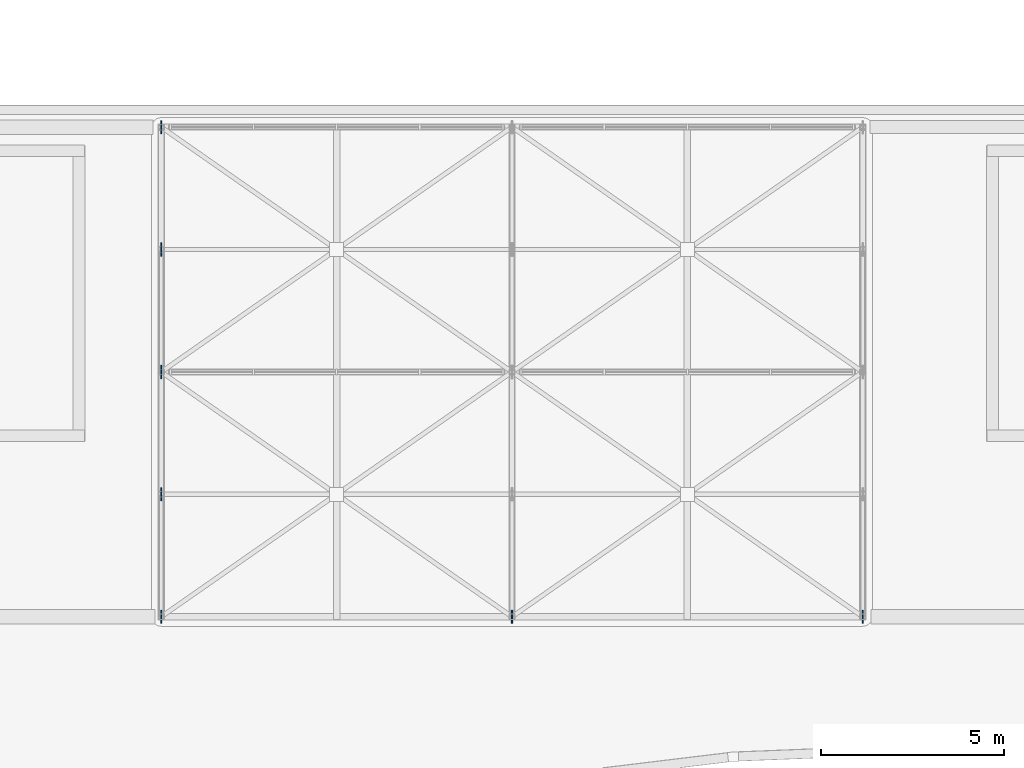
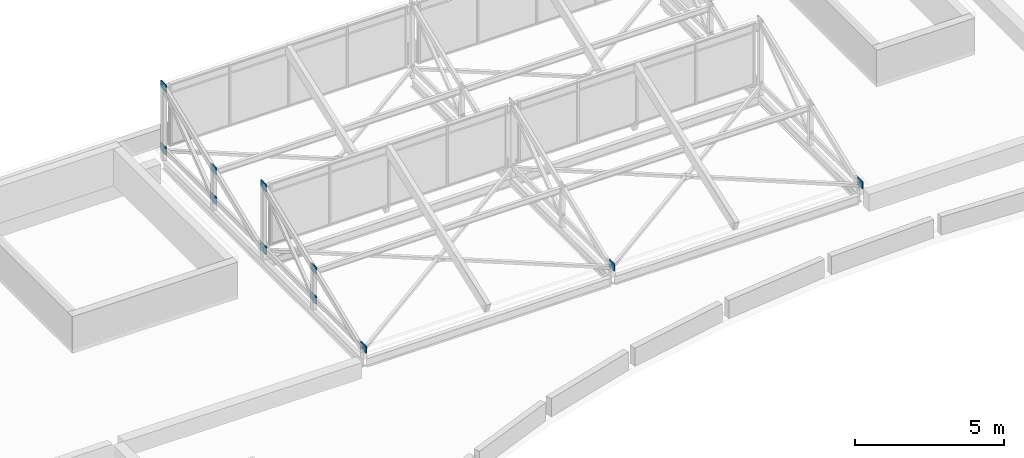
# One storey, part 33 of 40: 11 plates.
"""IFC4 building model written with IfcOpenShell, lengths in metres."""

import ifcopenshell
import ifcopenshell.guid

model = None  # the IFC model being written
_history = None  # IfcOwnerHistory: only IFC2X3 demands one
_inside = {}  # id of a spatial element -> (the spatial element, [elements in it])
_under = {}  # id of a project, library or spatial element -> (it, [spatial elements below it])
_declared = {}  # id of a project -> (the project, [libraries it declares])
_typed = {}  # id of a type object -> (the type object, [elements of that type])
_made_of = {}  # id of a material, layer set ... -> (it, [elements and type objects made of it])


def new_model(schema):
    """Start an empty IFC model of exactly this schema.

    Asked for "IFC4X3", IfcOpenShell would pick the latest addendum, in which some entities
    have other attributes; the version numbers below select the first issue.
    IFC2X3 requires an IfcOwnerHistory on every rooted entity: one is made here for all.
    """
    global model, _history
    if schema == "IFC4X3":
        model = ifcopenshell.file(schema_version=(4, 3, 0, 0))
    else:
        model = ifcopenshell.file(schema=schema)
    _inside.clear()
    _under.clear()
    _declared.clear()
    _typed.clear()
    _made_of.clear()
    _history = None
    if model.schema == "IFC2X3":
        org = make("IfcOrganization", Name="unknown")
        user = make(
            "IfcPersonAndOrganization",
            ThePerson=make("IfcPerson", FamilyName="unknown"),
            TheOrganization=org,
        )
        app = make(
            "IfcApplication",
            ApplicationDeveloper=org,
            Version="unknown",
            ApplicationFullName="unknown",
            ApplicationIdentifier="unknown",
        )
        _history = make(
            "IfcOwnerHistory",
            OwningUser=user,
            OwningApplication=app,
            ChangeAction="ADDED",
            CreationDate=0,
        )
    return model


def make(cls, **values):
    """One entity of the class cls with the attributes given. An attribute that is None is left unset."""
    return model.create_entity(
        cls, **{name: value for name, value in values.items() if value is not None}
    )


def rooted(cls, **values):
    """An entity with a GlobalId (a new one), such as an element, a storey or a relation."""
    return make(cls, GlobalId=ifcopenshell.guid.new(), OwnerHistory=_history, **values)


def si_unit(unit_type, name, prefix=None):
    """IfcSIUnit, for example si_unit("LENGTHUNIT", "METRE", prefix="MILLI")."""
    return make("IfcSIUnit", UnitType=unit_type, Prefix=prefix, Name=name)


def assignment(units):
    """IfcUnitAssignment: the units of a project."""
    return None if units is None else make("IfcUnitAssignment", Units=units)


def point(xyz):
    """IfcCartesianPoint."""
    return None if xyz is None else make("IfcCartesianPoint", Coordinates=xyz)


def direction(xyz):
    """IfcDirection."""
    return None if xyz is None else make("IfcDirection", DirectionRatios=xyz)


def frame(location, z_axis=None, x_axis=None):
    """IfcAxis2Placement3D, a coordinate frame: its origin and axes. An axis left out is left unset."""
    return make(
        "IfcAxis2Placement3D",
        Location=point(location),
        Axis=direction(z_axis),
        RefDirection=direction(x_axis),
    )


def frame_2d(location, x_axis=None):
    """IfcAxis2Placement2D, a coordinate frame in the plane: its origin and x axis."""
    return make(
        "IfcAxis2Placement2D", Location=point(location), RefDirection=direction(x_axis)
    )


def origin():
    """The frame at (0, 0, 0) with its axes left unset."""
    return frame((0.0, 0.0, 0.0))


def origin_2d():
    """The frame at (0, 0) in the plane with its x axis left unset."""
    return frame_2d((0.0, 0.0))


def place(relative_to, where):
    """IfcLocalPlacement: puts the frame where relative to a parent placement (None: the world)."""
    return make(
        "IfcLocalPlacement", PlacementRelTo=relative_to, RelativePlacement=where
    )


def context(
    kind, dimensions, precision=None, world=None, true_north=None, identifier=None
):
    """IfcGeometricRepresentationContext, for example the 3D "Model" context."""
    return make(
        "IfcGeometricRepresentationContext",
        ContextIdentifier=identifier,
        ContextType=kind,
        CoordinateSpaceDimension=dimensions,
        Precision=precision,
        WorldCoordinateSystem=world,
        TrueNorth=true_north,
    )


def subcontext(parent, identifier, kind, view, scale=None):
    """IfcGeometricRepresentationSubContext, for example "Body" below "Model"."""
    return make(
        "IfcGeometricRepresentationSubContext",
        ContextIdentifier=identifier,
        ContextType=kind,
        ParentContext=parent,
        TargetScale=scale,
        TargetView=view,
    )


def project(units=None, contexts=None):
    """IfcProject with its units and contexts."""
    return rooted(
        "IfcProject",
        Name="project",
        RepresentationContexts=contexts,
        UnitsInContext=assignment(units),
    )


def spatial(cls, under=None, at=None, **own):
    """A site, building, storey or space (cls), placed at a placement, below another one or the project."""
    s = rooted(cls, ObjectPlacement=at, **own)
    if under is not None:
        _under.setdefault(under.id(), (under, []))[1].append(s)
    return s


def profile(cls, at=None, kind="AREA", **sizes):
    """A parametric profile (cls). Its sizes go by their IFC names, for example OverallWidth=200.0."""
    return make(cls, ProfileType=kind, Position=at, **sizes)


def rectangle(**sizes):
    """IfcRectangleProfileDef."""
    return profile("IfcRectangleProfileDef", **sizes)


def extrude(swept, where, along, depth):
    """IfcExtrudedAreaSolid: the profile swept, set in the frame where, extruded along a direction by depth."""
    return make(
        "IfcExtrudedAreaSolid",
        SweptArea=swept,
        Position=where,
        ExtrudedDirection=direction(along),
        Depth=depth,
    )


def shape(context_of_items, identifier, shape_type, items):
    """IfcShapeRepresentation: the items that make up one representation, for example the "Body"."""
    return make(
        "IfcShapeRepresentation",
        ContextOfItems=context_of_items,
        RepresentationIdentifier=identifier,
        RepresentationType=shape_type,
        Items=items,
    )


def material(Name=None, Category=None):
    """IfcMaterial."""
    return make("IfcMaterial", Name=Name, Category=Category)


def layer(
    of_material, thickness, ventilated=None, Name=None, Category=None, Priority=None
):
    """IfcMaterialLayer: one layer of a wall or slab, of a material (None: an air gap)."""
    return make(
        "IfcMaterialLayer",
        Material=of_material,
        LayerThickness=thickness,
        IsVentilated=ventilated,
        Name=Name,
        Category=Category,
        Priority=Priority,
    )


def layer_set(layers, Name=None):
    """IfcMaterialLayerSet."""
    return make("IfcMaterialLayerSet", MaterialLayers=layers, LayerSetName=Name)


def made_of(thing, what):
    """Note that an element or type object is made of a material, layer set ...; save() writes the relation."""
    if what is not None:
        _made_of.setdefault(what.id(), (what, []))[1].append(thing)
    return thing


def type_object(cls, material=None, **own):
    """A type object (cls), such as IfcWallType, which elements share."""
    return made_of(rooted(cls, **own), material)


def element(
    cls,
    number,
    at=None,
    inside=None,
    cuts=None,
    type_object=None,
    material=None,
    context=None,
    identifier="Body",
    shape_type=None,
    held_by="IfcProductDefinitionShape",
    body=None,
    shapes=None,
    **own,
):
    """One element of the class cls, such as IfcWall. Its Tag is "e" and its number.

    at: its placement. inside: the storey or other place that contains it. cuts: it is an
    opening in that element (IfcRelVoidsElement). A single representation is given by context,
    identifier, shape_type and body (its items); several are given by shapes. held_by: the class
    of the entity that holds the representations. save() writes the other relations.
    """
    e = rooted(cls, Tag="e%d" % number, ObjectPlacement=at, **own)
    if body is not None:
        shapes = [shape(context, identifier, shape_type, body)]
    if shapes is not None:
        e.Representation = make(held_by, Representations=shapes)
    if inside is not None:
        _inside.setdefault(inside.id(), (inside, []))[1].append(e)
    if cuts is not None:
        rooted(
            "IfcRelVoidsElement", RelatingBuildingElement=cuts, RelatedOpeningElement=e
        )
    if type_object is not None:
        _typed.setdefault(type_object.id(), (type_object, []))[1].append(e)
    return made_of(e, material)


def aggregate(whole, parts):
    """IfcRelAggregates: a whole, such as a stair, and the parts it consists of."""
    return rooted("IfcRelAggregates", RelatingObject=whole, RelatedObjects=parts)


def save(model, path):
    """Write the relations noted so far, then the file.

    IfcRelAggregates (storeys below a building ...), IfcRelContainedInSpatialStructure (elements
    in a storey), IfcRelDefinesByType, IfcRelAssociatesMaterial and IfcRelDeclares: one each for
    every whole, place, type object, material and project.
    """
    for whole, parts in _under.values():
        aggregate(whole, parts)
    for where, things in _inside.values():
        rooted(
            "IfcRelContainedInSpatialStructure",
            RelatedElements=things,
            RelatingStructure=where,
        )
    for kind, things in _typed.values():
        rooted("IfcRelDefinesByType", RelatedObjects=things, RelatingType=kind)
    for what, things in _made_of.values():
        rooted("IfcRelAssociatesMaterial", RelatedObjects=things, RelatingMaterial=what)
    for by, libraries in _declared.values():
        rooted("IfcRelDeclares", RelatingContext=by, RelatedDefinitions=libraries)
    model.write(path)


model = new_model("IFC4")

# Units and contexts
model_context = context("Model", 3, precision=1e-05, world=origin(), true_north=direction((0.0, 1.0)))
body_context = subcontext(model_context, "Body", "Model", "MODEL_VIEW")
ifc_project = project(units=[si_unit("LENGTHUNIT", "METRE"), si_unit("AREAUNIT", "SQUARE_METRE"), si_unit("VOLUMEUNIT", "CUBIC_METRE"), si_unit("PLANEANGLEUNIT", "RADIAN"), si_unit("MASSUNIT", "GRAM", prefix="KILO")], contexts=[model_context])

# Site, building, storey
site_placement = place(None, origin())
site = spatial("IfcSite", under=ifc_project, at=site_placement, CompositionType="ELEMENT")
building_placement = place(site_placement, origin())
building = spatial("IfcBuilding", under=site, at=building_placement, Name="Mzevani Central Library", CompositionType="ELEMENT")
storey_placement = place(building_placement, frame((0.0, 0.0, 26.699951171875)))
storey = spatial("IfcBuildingStorey", under=building, at=storey_placement, Name="RF", CompositionType="ELEMENT", Elevation=26.699951171875)

# Plates
ifc_material = material(Name="Steel S355J2", Category="steel")
ifc_layer = layer(ifc_material, 0.035888671875, Name="Truss Splice Flange Plate 36")
ifc_layer_set = layer_set([ifc_layer], Name="Steel S355J2")
plate_type = type_object("IfcPlateType", Name="Truss Splice Flange Plate 36", PredefinedType="USERDEFINED", material=ifc_layer_set)
for number, where, z_axis, x_axis, name in (
    (1, (64.0, 100.0, -4.169921875), (0.0, 0.0, 1.0), (1.0, 0.0, 0.0), "RF Sawtooth Truss 1.1 Node Gusset 1"),
    (2, (64.0, 103.35009765625, -4.169921875), (0.0, 0.0, 1.0), (1.0, 0.0, 0.0), "RF Sawtooth Truss 1.1 Node Gusset 2"),
    (3, (64.0, 103.35009765625, -2.97021484375), (0.0, 0.0, 1.0), (1.0, 0.0, 0.0), "RF Sawtooth Truss 1.1 Node Gusset 3"),
    (4, (64.0, 106.699951171875, -4.169921875), (0.0, 0.0, 1.0), (1.0, 0.0, 0.0), "RF Sawtooth Truss 1.1 Node Gusset 4"),
    (5, (64.0, 106.699951171875, -1.6201171875), (0.0, 0.0, 1.0), (1.0, 0.0, 0.0), "RF Sawtooth Truss 1.1 Node Gusset 5"),
    (6, (73.60009765625, 100.0, -4.169921875), (0.0, 0.0, 1.0), (1.0, 0.0, 0.0), "RF Sawtooth Truss 1.2 Node Gusset 1"),
    (7, (83.199951171875, 100.0, -4.169921875), (0.0, 0.0, 1.0), (1.0, 0.0, 0.0), "RF Sawtooth Truss 1.3 Node Gusset 1"),
    (8, (64.0, 110.050048828125, -4.169921875), (0.0, 0.0, 1.0), (1.0, 0.0, 0.0), "RF Sawtooth Truss 2.1 Node Gusset 1"),
    (9, (64.0, 110.050048828125, -2.97021484375), (0.0, 0.0, 1.0), (1.0, 0.0, 0.0), "RF Sawtooth Truss 2.1 Node Gusset 2"),
    (10, (64.0, 113.39990234375, -4.169921875), (0.0, 0.0, 1.0), (1.0, 0.0, 0.0), "RF Sawtooth Truss 2.1 Node Gusset 3"),
    (11, (64.0, 113.39990234375, -1.6201171875), (0.0, 0.0, 1.0), (1.0, 0.0, 0.0), "RF Sawtooth Truss 2.1 Node Gusset 4"),
):
    element("IfcPlate", number, at=place(storey_placement, frame(where, z_axis=z_axis, x_axis=x_axis)), inside=storey, type_object=plate_type, Name=name, ObjectType="SPLICE PLATE", PredefinedType="USERDEFINED", context=body_context, shape_type="SweptSolid", body=[
        extrude(rectangle(XDim=0.035888671875, YDim=0.360107421875, at=origin_2d()), origin(), (0.0, 0.0, 1.0), 0.300048828125),
    ])

save(model, "model.ifc")
